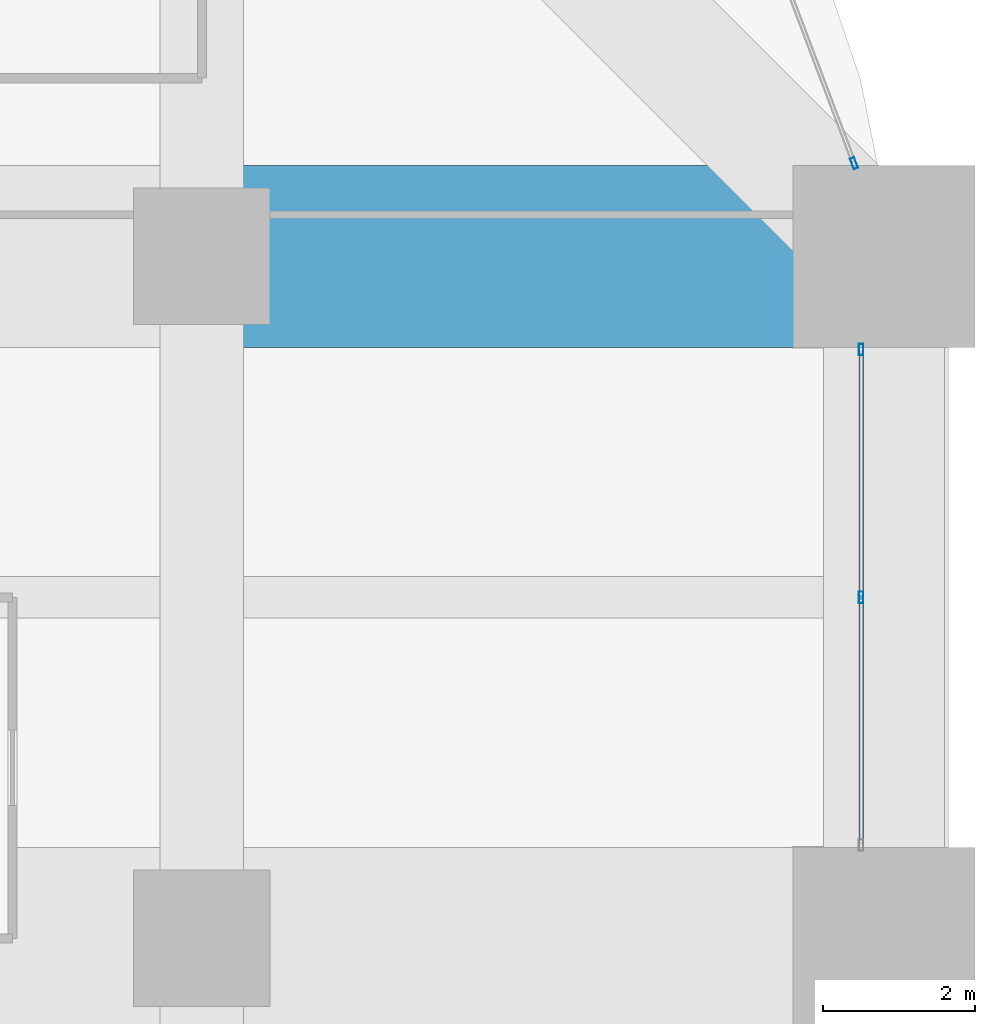
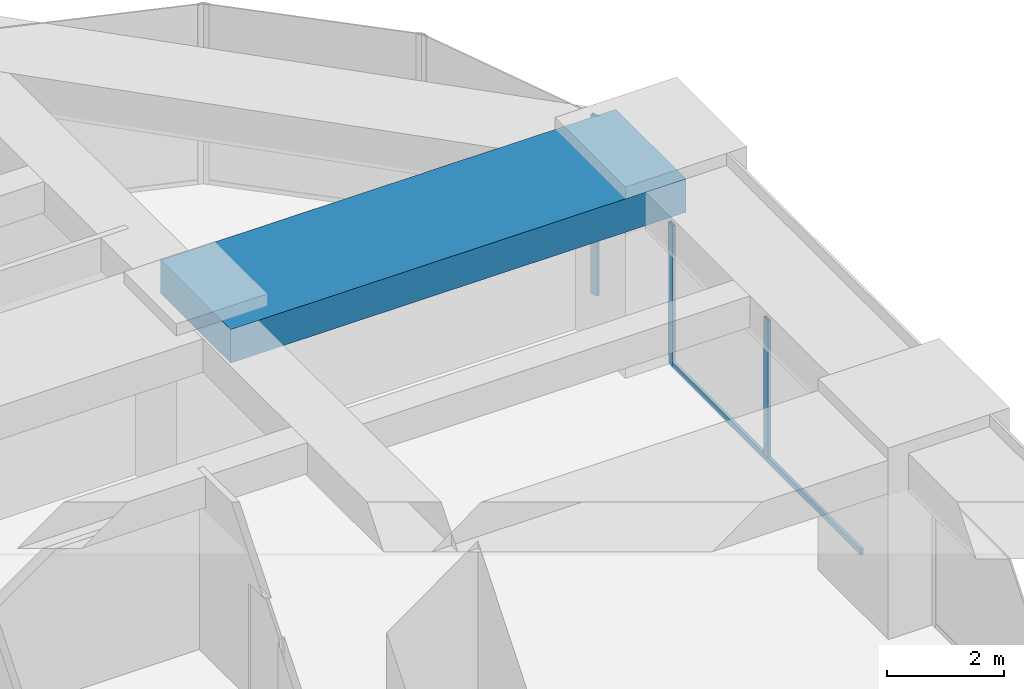
# One storey, part 33 of 42: 4 members, 1 beam, 2 elements without a shape of their own.
"""IFC4 building model written with IfcOpenShell, lengths in metres."""

from ifc_helpers import new_model, si_unit, direction, frame, origin, origin_2d, place, context, subcontext, project, spatial, rectangle, hollow_rectangle, extrude, material, material_profile, profile_set, type_object, element, aggregate, save


model = new_model("IFC4")

# Units and contexts
model_context = context("Model", 3, precision=1e-05, world=origin(), true_north=direction((0.0, 1.0)))
body_context = subcontext(model_context, "Body", "Model", "MODEL_VIEW")
ifc_project = project(units=[si_unit("LENGTHUNIT", "METRE"), si_unit("AREAUNIT", "SQUARE_METRE"), si_unit("VOLUMEUNIT", "CUBIC_METRE"), si_unit("PLANEANGLEUNIT", "RADIAN"), si_unit("MASSUNIT", "GRAM", prefix="KILO")], contexts=[model_context])

# Site, building, storey
site_placement = place(None, origin())
site = spatial("IfcSite", under=ifc_project, at=site_placement, CompositionType="ELEMENT")
building_placement = place(site_placement, origin())
building = spatial("IfcBuilding", under=site, at=building_placement, Name="Zorevar Civic Tower", CompositionType="ELEMENT")
storey_placement = place(building_placement, frame((0.0, 0.0, 149.0)))
storey = spatial("IfcBuildingStorey", under=building, at=storey_placement, Name="L36", CompositionType="ELEMENT", Elevation=149.0)

# Beam
ifc_material_1 = material(Name="Concrete C50/60", Category="concrete")
ifc_material_profile_1 = material_profile(ifc_material_1, rectangle(XDim=2.39990234375, YDim=0.699951171875, at=origin_2d()), Name="RC 2400x700")
ifc_profile_set_1 = profile_set([ifc_material_profile_1], Name="Concrete C50/60")
beam_type = type_object("IfcBeamType", Name="Beam RC 2400x700", PredefinedType="BEAM", material=ifc_profile_set_1)
beam_placement = place(storey_placement, frame((54.0, 36.0, 3.39990234375), z_axis=(1.0, 0.0, 0.0), x_axis=(0.0, 1.0, 0.0)))
element("IfcBeam", 1, at=beam_placement, inside=storey, type_object=beam_type, Name="Girder L37", PredefinedType="BEAM", context=body_context, shape_type="SweptSolid", body=[
    extrude(rectangle(XDim=2.39990234375, YDim=0.699951171875, at=origin_2d()), origin(), (0.0, 0.0, 1.0), 9.0),
])

# Curtain wall, members
ifc_material_2 = material(Name="Dark grey solar-control glass in black aluminium frame", Category="aluminium")
curtain_wall_type = type_object("IfcCurtainWallType", Name="Curtain wall CW3 mid zone", PredefinedType="NOTDEFINED", material=ifc_material_2)
curtain_wall_1_placement = place(storey_placement, origin())
curtain_wall_1 = element("IfcCurtainWall", 2, at=curtain_wall_1_placement, inside=storey, type_object=curtain_wall_type, Name="CW3 L36", PredefinedType="NOTDEFINED")
ifc_material_3 = material(Name="Aluminium, black anodised", Category="aluminium")
ifc_material_profile_2 = material_profile(ifc_material_3, hollow_rectangle(XDim=0.06005859375, YDim=0.14990234375, WallThickness=0.00390625, at=origin_2d()), Name="AL 150x60x4")
ifc_profile_set_2 = profile_set([ifc_material_profile_2], Name="Aluminium, black anodised")
member_type_1 = type_object("IfcMemberType", Name="CW3 mullion AL 150x60x4", PredefinedType="MULLION", material=ifc_profile_set_2)
member_1_placement = place(storey_placement, frame((62.699951171875, 31.5, 0.06005859375), z_axis=(0.0, 0.0, 1.0), x_axis=(-1.0, 0.0, 0.0)))
member_1 = element("IfcMember", 3, at=member_1_placement, type_object=member_type_1, Name="CW3 mullion 2", PredefinedType="MULLION", context=body_context, shape_type="SweptSolid", body=[
    extrude(hollow_rectangle(XDim=0.06005859375, YDim=0.14990234375, WallThickness=0.00390625, at=origin_2d()), origin(), (0.0, 0.0, 1.0), 2.889892578125),
])
member_2_placement = place(storey_placement, frame((62.699951171875, 34.77001953125, 0.0), z_axis=(0.0, 0.0, 1.0), x_axis=(-1.0, 0.0, 0.0)))
member_2 = element("IfcMember", 4, at=member_2_placement, type_object=member_type_1, Name="CW3 mullion 3", PredefinedType="MULLION", context=body_context, shape_type="SweptSolid", body=[
    extrude(hollow_rectangle(XDim=0.06005859375, YDim=0.14990234375, WallThickness=0.00390625, at=origin_2d()), origin(), (0.0, 0.0, 1.0), 2.949951171875),
])

# Curtain wall, member
curtain_wall_2_placement = place(storey_placement, origin())
curtain_wall_2 = element("IfcCurtainWall", 5, at=curtain_wall_2_placement, inside=storey, type_object=curtain_wall_type, Name="CW3 L36", PredefinedType="NOTDEFINED")
member_3_placement = place(storey_placement, frame((62.606201171875, 37.22802734375, 0.0), z_axis=(0.0, 0.0, 1.0), x_axis=(-0.935276561184, -0.353917722218, 0.0)))
member_3 = element("IfcMember", 6, at=member_3_placement, type_object=member_type_1, Name="CW3 mullion 1", PredefinedType="MULLION", context=body_context, shape_type="SweptSolid", body=[
    extrude(hollow_rectangle(XDim=0.06005859375, YDim=0.14990234375, WallThickness=0.00390625, at=origin_2d()), origin(), (0.0, 0.0, 1.0), 3.75),
])
aggregate(curtain_wall_2, [member_3])

# Member
ifc_material_4 = material(Name="Aluminium, black anodised", Category="aluminium")
ifc_material_profile_3 = material_profile(ifc_material_4, hollow_rectangle(XDim=0.06005859375, YDim=0.1201171875, WallThickness=0.0029296875, at=origin_2d()), Name="AL 120x60x3")
ifc_profile_set_3 = profile_set([ifc_material_profile_3], Name="Aluminium, black anodised")
member_type_2 = type_object("IfcMemberType", Name="CW3 transom AL 120x60x3", PredefinedType="USERDEFINED", material=ifc_profile_set_3)
member_4_placement = place(storey_placement, frame((62.699951171875, 28.260009765625, 0.030029296875), z_axis=(0.0, 1.0, 0.0), x_axis=(-1.0, 0.0, 0.0)))
member_4 = element("IfcMember", 7, at=member_4_placement, type_object=member_type_2, Name="CW3 sill transom", ObjectType="TRANSOM", PredefinedType="USERDEFINED", context=body_context, shape_type="SweptSolid", body=[
    extrude(hollow_rectangle(XDim=0.06005859375, YDim=0.1201171875, WallThickness=0.0029296875, at=origin_2d()), origin(), (0.0, 0.0, 1.0), 6.47998046875),
])

aggregate(curtain_wall_1, [member_1, member_2, member_4])

save(model, "model.ifc")
